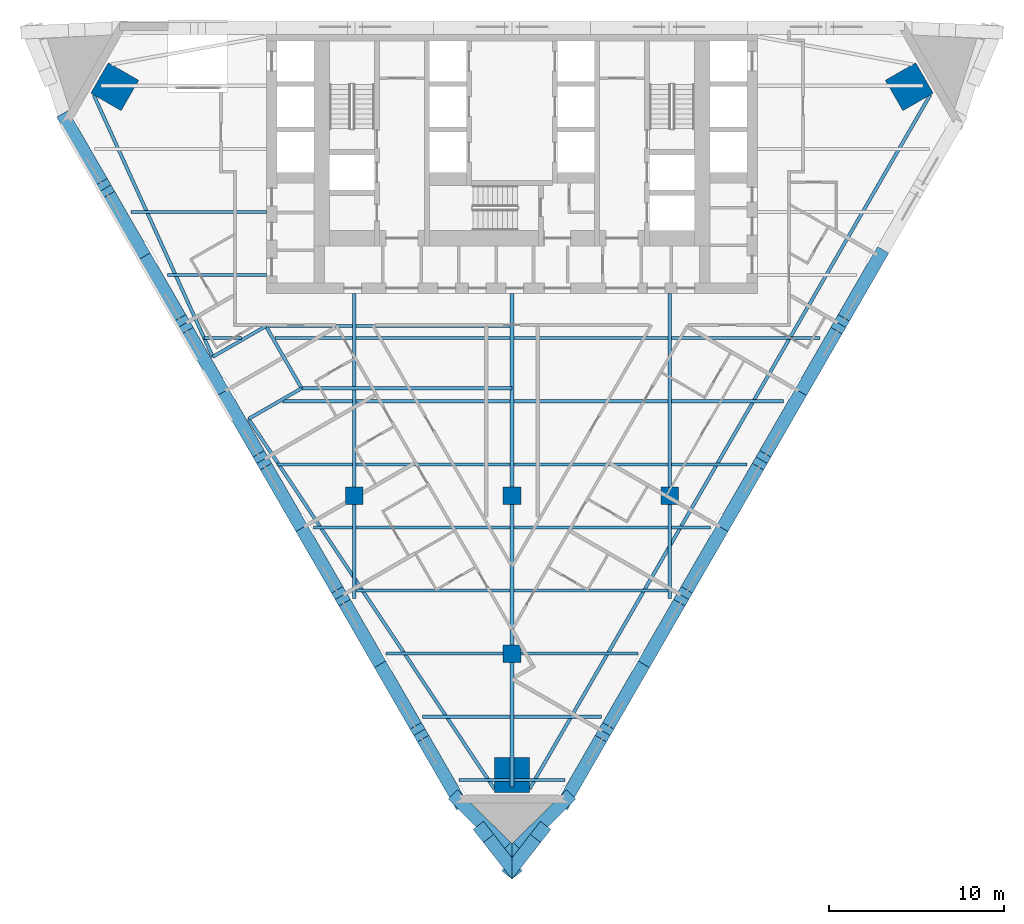
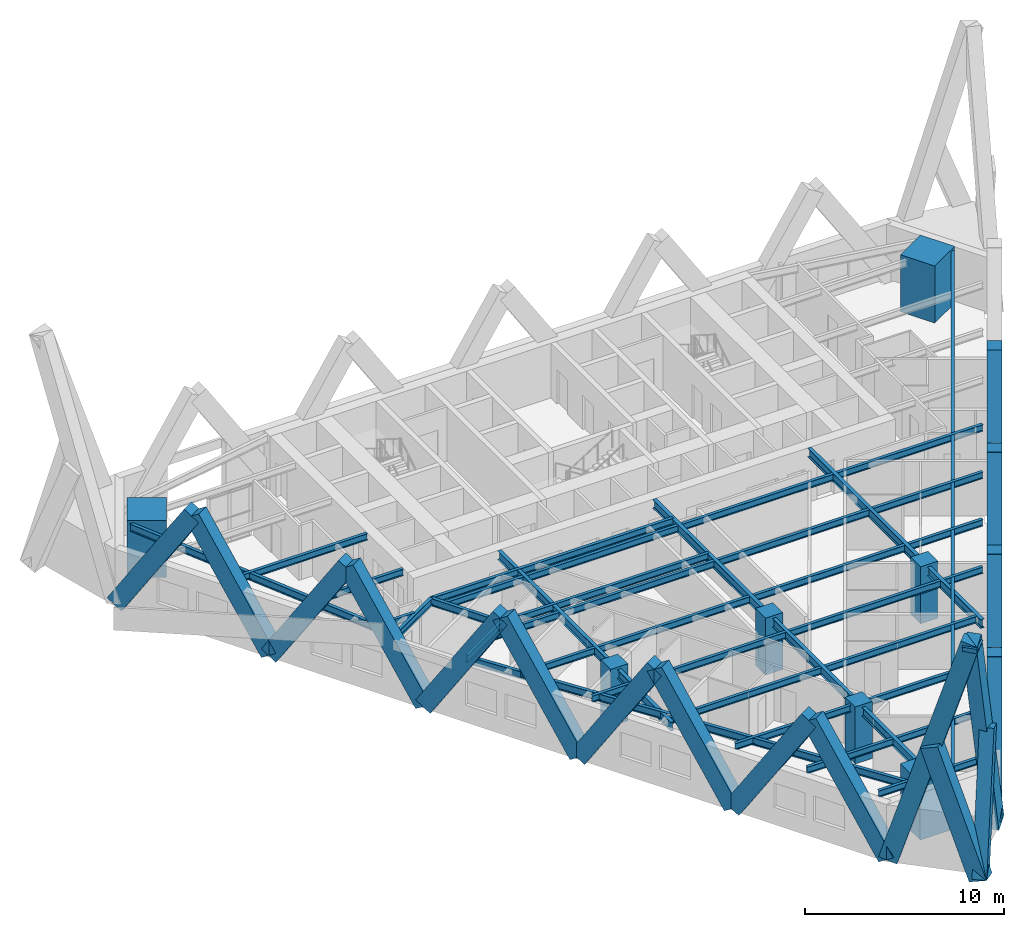
# One storey, part 1 of 11: 42 beams, 22 members, 7 columns.
"""IFC4 building model written with IfcOpenShell, lengths in metres."""

import ifcopenshell
import ifcopenshell.guid

model = None  # the IFC model being written
_history = None  # IfcOwnerHistory: only IFC2X3 demands one
_inside = {}  # id of a spatial element -> (the spatial element, [elements in it])
_under = {}  # id of a project, library or spatial element -> (it, [spatial elements below it])
_declared = {}  # id of a project -> (the project, [libraries it declares])
_typed = {}  # id of a type object -> (the type object, [elements of that type])
_made_of = {}  # id of a material, layer set ... -> (it, [elements and type objects made of it])


def new_model(schema):
    """Start an empty IFC model of exactly this schema.

    Asked for "IFC4X3", IfcOpenShell would pick the latest addendum, in which some entities
    have other attributes; the version numbers below select the first issue.
    IFC2X3 requires an IfcOwnerHistory on every rooted entity: one is made here for all.
    """
    global model, _history
    if schema == "IFC4X3":
        model = ifcopenshell.file(schema_version=(4, 3, 0, 0))
    else:
        model = ifcopenshell.file(schema=schema)
    _inside.clear()
    _under.clear()
    _declared.clear()
    _typed.clear()
    _made_of.clear()
    _history = None
    if model.schema == "IFC2X3":
        org = make("IfcOrganization", Name="unknown")
        user = make(
            "IfcPersonAndOrganization",
            ThePerson=make("IfcPerson", FamilyName="unknown"),
            TheOrganization=org,
        )
        app = make(
            "IfcApplication",
            ApplicationDeveloper=org,
            Version="unknown",
            ApplicationFullName="unknown",
            ApplicationIdentifier="unknown",
        )
        _history = make(
            "IfcOwnerHistory",
            OwningUser=user,
            OwningApplication=app,
            ChangeAction="ADDED",
            CreationDate=0,
        )
    return model


def make(cls, **values):
    """One entity of the class cls with the attributes given. An attribute that is None is left unset."""
    return model.create_entity(
        cls, **{name: value for name, value in values.items() if value is not None}
    )


def rooted(cls, **values):
    """An entity with a GlobalId (a new one), such as an element, a storey or a relation."""
    return make(cls, GlobalId=ifcopenshell.guid.new(), OwnerHistory=_history, **values)


def si_unit(unit_type, name, prefix=None):
    """IfcSIUnit, for example si_unit("LENGTHUNIT", "METRE", prefix="MILLI")."""
    return make("IfcSIUnit", UnitType=unit_type, Prefix=prefix, Name=name)


def assignment(units):
    """IfcUnitAssignment: the units of a project."""
    return None if units is None else make("IfcUnitAssignment", Units=units)


def point(xyz):
    """IfcCartesianPoint."""
    return None if xyz is None else make("IfcCartesianPoint", Coordinates=xyz)


def direction(xyz):
    """IfcDirection."""
    return None if xyz is None else make("IfcDirection", DirectionRatios=xyz)


def frame(location, z_axis=None, x_axis=None):
    """IfcAxis2Placement3D, a coordinate frame: its origin and axes. An axis left out is left unset."""
    return make(
        "IfcAxis2Placement3D",
        Location=point(location),
        Axis=direction(z_axis),
        RefDirection=direction(x_axis),
    )


def frame_2d(location, x_axis=None):
    """IfcAxis2Placement2D, a coordinate frame in the plane: its origin and x axis."""
    return make(
        "IfcAxis2Placement2D", Location=point(location), RefDirection=direction(x_axis)
    )


def origin():
    """The frame at (0, 0, 0) with its axes left unset."""
    return frame((0.0, 0.0, 0.0))


def origin_2d():
    """The frame at (0, 0) in the plane with its x axis left unset."""
    return frame_2d((0.0, 0.0))


def place(relative_to, where):
    """IfcLocalPlacement: puts the frame where relative to a parent placement (None: the world)."""
    return make(
        "IfcLocalPlacement", PlacementRelTo=relative_to, RelativePlacement=where
    )


def context(
    kind, dimensions, precision=None, world=None, true_north=None, identifier=None
):
    """IfcGeometricRepresentationContext, for example the 3D "Model" context."""
    return make(
        "IfcGeometricRepresentationContext",
        ContextIdentifier=identifier,
        ContextType=kind,
        CoordinateSpaceDimension=dimensions,
        Precision=precision,
        WorldCoordinateSystem=world,
        TrueNorth=true_north,
    )


def subcontext(parent, identifier, kind, view, scale=None):
    """IfcGeometricRepresentationSubContext, for example "Body" below "Model"."""
    return make(
        "IfcGeometricRepresentationSubContext",
        ContextIdentifier=identifier,
        ContextType=kind,
        ParentContext=parent,
        TargetScale=scale,
        TargetView=view,
    )


def project(units=None, contexts=None):
    """IfcProject with its units and contexts."""
    return rooted(
        "IfcProject",
        Name="project",
        RepresentationContexts=contexts,
        UnitsInContext=assignment(units),
    )


def spatial(cls, under=None, at=None, **own):
    """A site, building, storey or space (cls), placed at a placement, below another one or the project."""
    s = rooted(cls, ObjectPlacement=at, **own)
    if under is not None:
        _under.setdefault(under.id(), (under, []))[1].append(s)
    return s


def profile(cls, at=None, kind="AREA", **sizes):
    """A parametric profile (cls). Its sizes go by their IFC names, for example OverallWidth=200.0."""
    return make(cls, ProfileType=kind, Position=at, **sizes)


def rectangle(**sizes):
    """IfcRectangleProfileDef."""
    return profile("IfcRectangleProfileDef", **sizes)


def i_section(**sizes):
    """IfcIShapeProfileDef."""
    return profile("IfcIShapeProfileDef", **sizes)


def extrude(swept, where, along, depth):
    """IfcExtrudedAreaSolid: the profile swept, set in the frame where, extruded along a direction by depth."""
    return make(
        "IfcExtrudedAreaSolid",
        SweptArea=swept,
        Position=where,
        ExtrudedDirection=direction(along),
        Depth=depth,
    )


def shape(context_of_items, identifier, shape_type, items):
    """IfcShapeRepresentation: the items that make up one representation, for example the "Body"."""
    return make(
        "IfcShapeRepresentation",
        ContextOfItems=context_of_items,
        RepresentationIdentifier=identifier,
        RepresentationType=shape_type,
        Items=items,
    )


def material(Name=None, Category=None):
    """IfcMaterial."""
    return make("IfcMaterial", Name=Name, Category=Category)


def material_profile(
    of_material, cross_section, Name=None, Category=None, Priority=None
):
    """IfcMaterialProfile: a cross section and its material."""
    return make(
        "IfcMaterialProfile",
        Name=Name,
        Material=of_material,
        Profile=cross_section,
        Priority=Priority,
        Category=Category,
    )


def profile_set(profiles, Name=None, composite=None):
    """IfcMaterialProfileSet."""
    return make(
        "IfcMaterialProfileSet",
        Name=Name,
        MaterialProfiles=profiles,
        CompositeProfile=composite,
    )


def made_of(thing, what):
    """Note that an element or type object is made of a material, layer set ...; save() writes the relation."""
    if what is not None:
        _made_of.setdefault(what.id(), (what, []))[1].append(thing)
    return thing


def type_object(cls, material=None, **own):
    """A type object (cls), such as IfcWallType, which elements share."""
    return made_of(rooted(cls, **own), material)


def element(
    cls,
    number,
    at=None,
    inside=None,
    cuts=None,
    type_object=None,
    material=None,
    context=None,
    identifier="Body",
    shape_type=None,
    held_by="IfcProductDefinitionShape",
    body=None,
    shapes=None,
    **own,
):
    """One element of the class cls, such as IfcWall. Its Tag is "e" and its number.

    at: its placement. inside: the storey or other place that contains it. cuts: it is an
    opening in that element (IfcRelVoidsElement). A single representation is given by context,
    identifier, shape_type and body (its items); several are given by shapes. held_by: the class
    of the entity that holds the representations. save() writes the other relations.
    """
    e = rooted(cls, Tag="e%d" % number, ObjectPlacement=at, **own)
    if body is not None:
        shapes = [shape(context, identifier, shape_type, body)]
    if shapes is not None:
        e.Representation = make(held_by, Representations=shapes)
    if inside is not None:
        _inside.setdefault(inside.id(), (inside, []))[1].append(e)
    if cuts is not None:
        rooted(
            "IfcRelVoidsElement", RelatingBuildingElement=cuts, RelatedOpeningElement=e
        )
    if type_object is not None:
        _typed.setdefault(type_object.id(), (type_object, []))[1].append(e)
    return made_of(e, material)


def aggregate(whole, parts):
    """IfcRelAggregates: a whole, such as a stair, and the parts it consists of."""
    return rooted("IfcRelAggregates", RelatingObject=whole, RelatedObjects=parts)


def save(model, path):
    """Write the relations noted so far, then the file.

    IfcRelAggregates (storeys below a building ...), IfcRelContainedInSpatialStructure (elements
    in a storey), IfcRelDefinesByType, IfcRelAssociatesMaterial and IfcRelDeclares: one each for
    every whole, place, type object, material and project.
    """
    for whole, parts in _under.values():
        aggregate(whole, parts)
    for where, things in _inside.values():
        rooted(
            "IfcRelContainedInSpatialStructure",
            RelatedElements=things,
            RelatingStructure=where,
        )
    for kind, things in _typed.values():
        rooted("IfcRelDefinesByType", RelatedObjects=things, RelatingType=kind)
    for what, things in _made_of.values():
        rooted("IfcRelAssociatesMaterial", RelatedObjects=things, RelatingMaterial=what)
    for by, libraries in _declared.values():
        rooted("IfcRelDeclares", RelatingContext=by, RelatedDefinitions=libraries)
    model.write(path)


model = new_model("IFC4")

# Units and contexts
model_context = context("Model", 3, precision=1e-05, world=origin(), true_north=direction((0.0, 1.0)))
body_context = subcontext(model_context, "Body", "Model", "MODEL_VIEW")
ifc_project = project(units=[si_unit("LENGTHUNIT", "METRE"), si_unit("AREAUNIT", "SQUARE_METRE"), si_unit("VOLUMEUNIT", "CUBIC_METRE"), si_unit("PLANEANGLEUNIT", "RADIAN"), si_unit("MASSUNIT", "GRAM", prefix="KILO")], contexts=[model_context])

# Site, building, storey
site_placement = place(None, origin())
site = spatial("IfcSite", under=ifc_project, at=site_placement, CompositionType="ELEMENT")
building_placement = place(site_placement, origin())
building = spatial("IfcBuilding", under=site, at=building_placement, Name="Aloe Facet Convention Tower", CompositionType="ELEMENT")
storey_placement = place(building_placement, frame((0.0, 0.0, 49.0)))
storey = spatial("IfcBuildingStorey", under=building, at=storey_placement, Name="L10", CompositionType="ELEMENT", Elevation=49.0)

# Columns
ifc_material_1 = material(Name="Concrete C70/85", Category="concrete")
ifc_material_profile_1 = material_profile(ifc_material_1, rectangle(XDim=1.0, YDim=1.0, at=origin_2d()), Name="SF-GC-Z1")
ifc_profile_set_1 = profile_set([ifc_material_profile_1], Name="Concrete C70/85")
column_type_1 = type_object("IfcColumnType", Name="SF-GC-Z1", PredefinedType="COLUMN", material=ifc_profile_set_1)
for number, where, z_axis, x_axis, name in (
    (1, (71.0, 108.0, 0.0), (0.0, 0.0, 1.0), (1.0, 0.0, 0.0), "Gravity column GC-Z1-8D"),
    (2, (80.0, 99.0, 0.0), (0.0, 0.0, 1.0), (1.0, 0.0, 0.0), "Gravity column GC-Z1-9E"),
    (3, (80.0, 108.0, 0.0), (0.0, 0.0, 1.0), (1.0, 0.0, 0.0), "Gravity column GC-Z1-9D"),
    (4, (89.0, 108.0, 0.0), (0.0, 0.0, 1.0), (1.0, 0.0, 0.0), "Gravity column GC-Z1-10D"),
):
    element("IfcColumn", number, at=place(storey_placement, frame(where, z_axis=z_axis, x_axis=x_axis)), inside=storey, type_object=column_type_1, Name=name, PredefinedType="COLUMN", context=body_context, shape_type="SweptSolid", body=[
        extrude(rectangle(XDim=1.0, YDim=1.0, at=origin_2d()), origin(), (0.0, 0.0, 1.0), 3.5),
    ])
ifc_material_2 = material(Name="Concrete C80/95", Category="concrete")
ifc_material_profile_2 = material_profile(ifc_material_2, rectangle(XDim=2.0, YDim=2.0, at=origin_2d()), Name="STW-MC-Z1")
ifc_profile_set_2 = profile_set([ifc_material_profile_2], Name="Concrete C80/95")
column_type_2 = type_object("IfcColumnType", Name="STW-MC-Z1", PredefinedType="COLUMN", material=ifc_profile_set_2)
for number, where, z_axis, x_axis, name in (
    (5, (102.664306640625, 131.342041015625, 0.0), (0.0, 0.0, 1.0), (-0.5, 0.866025403784, 0.0), "Mega-column MC-NE-L10"),
    (6, (57.335693359375, 131.342041015625, 0.0), (0.0, 0.0, 1.0), (-0.5, -0.866025403784, 0.0), "Mega-column MC-NW-L10"),
    (7, (80.0, 92.086181640625, 0.0), (0.0, 0.0, 1.0), (1.0, 0.0, 0.0), "Mega-column MC-S-L10"),
):
    element("IfcColumn", number, at=place(storey_placement, frame(where, z_axis=z_axis, x_axis=x_axis)), inside=storey, type_object=column_type_2, Name=name, PredefinedType="COLUMN", context=body_context, shape_type="SweptSolid", body=[
        extrude(rectangle(XDim=2.0, YDim=2.0, at=origin_2d()), origin(), (0.0, 0.0, 1.0), 3.5),
    ])

# Beams
ifc_material_3 = material(Name="Steel S355", Category="steel")
ifc_material_profile_3 = material_profile(ifc_material_3, i_section(OverallWidth=0.177734375, OverallDepth=0.402587890625, WebThickness=0.0078125, FlangeThickness=0.010986328125, FilletRadius=0.01025390625, at=origin_2d()), Name="UB 406x178x54")
ifc_profile_set_3 = profile_set([ifc_material_profile_3], Name="Steel S355")
beam_type_1 = type_object("IfcBeamType", Name="SF-B-UB406x178x54", PredefinedType="BEAM", material=ifc_profile_set_3)
beam_1_placement = place(storey_placement, frame((58.27294921875, 124.199951171875, 3.148681640625), z_axis=(1.0, 0.0, 0.0), x_axis=(0.0, 1.0, 0.0)))
element("IfcBeam", 8, at=beam_1_placement, inside=storey, type_object=beam_type_1, Name="Floor beam FB-Z1E-018", PredefinedType="BEAM", context=body_context, shape_type="SweptSolid", body=[
    extrude(i_section(OverallWidth=0.177734375, OverallDepth=0.402587890625, WebThickness=0.0078125, FlangeThickness=0.010986328125, FilletRadius=0.01025390625, at=origin_2d()), origin(), (0.0, 0.0, 1.0), 7.72705078125),
])
beam_2_placement = place(storey_placement, frame((60.351318359375, 120.60009765625, 3.148681640625), z_axis=(1.0, 0.0, 0.0), x_axis=(0.0, 1.0, 0.0)))
element("IfcBeam", 9, at=beam_2_placement, inside=storey, type_object=beam_type_1, Name="Floor beam FB-Z1E-019", PredefinedType="BEAM", context=body_context, shape_type="SweptSolid", body=[
    extrude(i_section(OverallWidth=0.177734375, OverallDepth=0.402587890625, WebThickness=0.0078125, FlangeThickness=0.010986328125, FilletRadius=0.01025390625, at=origin_2d()), origin(), (0.0, 0.0, 1.0), 5.648681640625),
])
beam_3_placement = place(storey_placement, frame((62.429931640625, 117.0, 3.148681640625), z_axis=(1.0, 0.0, 0.0), x_axis=(0.0, 1.0, 0.0)))
element("IfcBeam", 10, at=beam_3_placement, inside=storey, type_object=beam_type_1, Name="Floor beam FB-Z1E-020", PredefinedType="BEAM", context=body_context, shape_type="SweptSolid", body=[
    extrude(i_section(OverallWidth=0.177734375, OverallDepth=0.402587890625, WebThickness=0.0078125, FlangeThickness=0.010986328125, FilletRadius=0.01025390625, at=origin_2d()), origin(), (0.0, 0.0, 1.0), 2.143310546875),
])
beam_4_placement = place(storey_placement, frame((65.95703125, 117.68359375, 3.148681640625), z_axis=(1.0, 0.0, 0.0), x_axis=(0.0, 1.0, 0.0)))
element("IfcBeam", 11, at=beam_4_placement, inside=storey, type_object=beam_type_1, Name="Floor beam FB-Z1E-021", PredefinedType="BEAM", context=body_context, shape_type="SweptSolid", body=[
    extrude(i_section(OverallWidth=0.177734375, OverallDepth=0.402587890625, WebThickness=0.0078125, FlangeThickness=0.010986328125, FilletRadius=0.01025390625, at=origin_2d()), origin(), (0.0, 0.0, 1.0), 14.04296875),
])
beam_5_placement = place(storey_placement, frame((66.47119140625, 117.0, 3.148681640625), z_axis=(1.0, 0.0, 0.0), x_axis=(0.0, 1.0, 0.0)))
element("IfcBeam", 12, at=beam_5_placement, inside=storey, type_object=beam_type_1, Name="Floor beam FB-Z1E-022", PredefinedType="BEAM", context=body_context, shape_type="SweptSolid", body=[
    extrude(i_section(OverallWidth=0.177734375, OverallDepth=0.402587890625, WebThickness=0.0078125, FlangeThickness=0.010986328125, FilletRadius=0.01025390625, at=origin_2d()), origin(), (0.0, 0.0, 1.0), 4.42333984375),
])
beam_6_placement = place(storey_placement, frame((66.5869140625, 109.800048828125, 3.148681640625), z_axis=(1.0, 0.0, 0.0), x_axis=(0.0, 1.0, 0.0)))
element("IfcBeam", 13, at=beam_6_placement, inside=storey, type_object=beam_type_1, Name="Floor beam FB-Z1E-023", PredefinedType="BEAM", context=body_context, shape_type="SweptSolid", body=[
    extrude(i_section(OverallWidth=0.177734375, OverallDepth=0.402587890625, WebThickness=0.0078125, FlangeThickness=0.010986328125, FilletRadius=0.01025390625, at=origin_2d()), origin(), (0.0, 0.0, 1.0), 4.3076171875),
])
beam_7_placement = place(storey_placement, frame((66.91748046875, 113.39990234375, 3.148681640625), z_axis=(1.0, 0.0, 0.0), x_axis=(0.0, 1.0, 0.0)))
element("IfcBeam", 14, at=beam_7_placement, inside=storey, type_object=beam_type_1, Name="Floor beam FB-Z1E-024", PredefinedType="BEAM", context=body_context, shape_type="SweptSolid", body=[
    extrude(i_section(OverallWidth=0.177734375, OverallDepth=0.402587890625, WebThickness=0.0078125, FlangeThickness=0.010986328125, FilletRadius=0.01025390625, at=origin_2d()), origin(), (0.0, 0.0, 1.0), 3.97705078125),
])
beam_8_placement = place(storey_placement, frame((68.001953125, 114.1416015625, 3.148681640625), z_axis=(1.0, 0.0, 0.0), x_axis=(0.0, 1.0, 0.0)))
element("IfcBeam", 15, at=beam_8_placement, inside=storey, type_object=beam_type_1, Name="Floor beam FB-Z1E-025", PredefinedType="BEAM", context=body_context, shape_type="SweptSolid", body=[
    extrude(i_section(OverallWidth=0.177734375, OverallDepth=0.402587890625, WebThickness=0.0078125, FlangeThickness=0.010986328125, FilletRadius=0.01025390625, at=origin_2d()), origin(), (0.0, 0.0, 1.0), 11.998046875),
])
beam_9_placement = place(storey_placement, frame((68.665283203125, 106.199951171875, 3.148681640625), z_axis=(1.0, 0.0, 0.0), x_axis=(0.0, 1.0, 0.0)))
element("IfcBeam", 16, at=beam_9_placement, inside=storey, type_object=beam_type_1, Name="Floor beam FB-Z1E-026", PredefinedType="BEAM", context=body_context, shape_type="SweptSolid", body=[
    extrude(i_section(OverallWidth=0.177734375, OverallDepth=0.402587890625, WebThickness=0.0078125, FlangeThickness=0.010986328125, FilletRadius=0.01025390625, at=origin_2d()), origin(), (0.0, 0.0, 1.0), 2.229248046875),
])
for number, where, z_axis, x_axis, name in (
    (17, (71.10546875, 102.60009765625, 3.148681640625), (1.0, 0.0, 0.0), (0.0, 1.0, 0.0), "Floor beam FB-Z1E-027"),
    (18, (71.10546875, 106.199951171875, 3.148681640625), (1.0, 0.0, 0.0), (0.0, 1.0, 0.0), "Floor beam FB-Z1E-028"),
    (19, (71.10546875, 109.800048828125, 3.148681640625), (1.0, 0.0, 0.0), (0.0, 1.0, 0.0), "Floor beam FB-Z1E-029"),
    (20, (71.10546875, 113.39990234375, 3.148681640625), (1.0, 0.0, 0.0), (0.0, 1.0, 0.0), "Floor beam FB-Z1E-030"),
    (21, (71.10546875, 117.0, 3.148681640625), (1.0, 0.0, 0.0), (0.0, 1.0, 0.0), "Floor beam FB-Z1E-031"),
):
    element("IfcBeam", number, at=place(storey_placement, frame(where, z_axis=z_axis, x_axis=x_axis)), inside=storey, type_object=beam_type_1, Name=name, PredefinedType="BEAM", context=body_context, shape_type="SweptSolid", body=[
        extrude(i_section(OverallWidth=0.177734375, OverallDepth=0.402587890625, WebThickness=0.0078125, FlangeThickness=0.010986328125, FilletRadius=0.01025390625, at=origin_2d()), origin(), (0.0, 0.0, 1.0), 8.7890625),
    ])
beam_10_placement = place(storey_placement, frame((72.822265625, 99.0, 3.148681640625), z_axis=(1.0, 0.0, 0.0), x_axis=(0.0, 1.0, 0.0)))
element("IfcBeam", 22, at=beam_10_placement, inside=storey, type_object=beam_type_1, Name="Floor beam FB-Z1E-032", PredefinedType="BEAM", context=body_context, shape_type="SweptSolid", body=[
    extrude(i_section(OverallWidth=0.177734375, OverallDepth=0.402587890625, WebThickness=0.0078125, FlangeThickness=0.010986328125, FilletRadius=0.01025390625, at=origin_2d()), origin(), (0.0, 0.0, 1.0), 6.677734375),
])
beam_11_placement = place(storey_placement, frame((74.900634765625, 95.39990234375, 3.148681640625), z_axis=(1.0, 0.0, 0.0), x_axis=(0.0, 1.0, 0.0)))
element("IfcBeam", 23, at=beam_11_placement, inside=storey, type_object=beam_type_1, Name="Floor beam FB-Z1E-033", PredefinedType="BEAM", context=body_context, shape_type="SweptSolid", body=[
    extrude(i_section(OverallWidth=0.177734375, OverallDepth=0.402587890625, WebThickness=0.0078125, FlangeThickness=0.010986328125, FilletRadius=0.01025390625, at=origin_2d()), origin(), (0.0, 0.0, 1.0), 4.993896484375),
])
for number, where, z_axis, x_axis, name in (
    (24, (76.97900390625, 91.800048828125, 3.148681640625), (1.0, 0.0, 0.0), (0.0, 1.0, 0.0), "Floor beam FB-Z1E-034"),
    (25, (80.10546875, 91.800048828125, 3.148681640625), (1.0, 0.0, 0.0), (0.0, 1.0, 0.0), "Floor beam FB-Z1E-035"),
):
    element("IfcBeam", number, at=place(storey_placement, frame(where, z_axis=z_axis, x_axis=x_axis)), inside=storey, type_object=beam_type_1, Name=name, PredefinedType="BEAM", context=body_context, shape_type="SweptSolid", body=[
        extrude(i_section(OverallWidth=0.177734375, OverallDepth=0.402587890625, WebThickness=0.0078125, FlangeThickness=0.010986328125, FilletRadius=0.01025390625, at=origin_2d()), origin(), (0.0, 0.0, 1.0), 2.91552734375),
    ])
beam_12_placement = place(storey_placement, frame((80.10546875, 95.39990234375, 3.148681640625), z_axis=(1.0, 0.0, 0.0), x_axis=(0.0, 1.0, 0.0)))
element("IfcBeam", 26, at=beam_12_placement, inside=storey, type_object=beam_type_1, Name="Floor beam FB-Z1E-036", PredefinedType="BEAM", context=body_context, shape_type="SweptSolid", body=[
    extrude(i_section(OverallWidth=0.177734375, OverallDepth=0.402587890625, WebThickness=0.0078125, FlangeThickness=0.010986328125, FilletRadius=0.01025390625, at=origin_2d()), origin(), (0.0, 0.0, 1.0), 4.993896484375),
])
for number, where, z_axis, x_axis, name in (
    (27, (80.10546875, 102.60009765625, 3.148681640625), (1.0, 0.0, 0.0), (0.0, 1.0, 0.0), "Floor beam FB-Z1E-037"),
    (28, (80.10546875, 106.199951171875, 3.148681640625), (1.0, 0.0, 0.0), (0.0, 1.0, 0.0), "Floor beam FB-Z1E-038"),
    (29, (80.10546875, 109.800048828125, 3.148681640625), (1.0, 0.0, 0.0), (0.0, 1.0, 0.0), "Floor beam FB-Z1E-039"),
    (30, (80.10546875, 113.39990234375, 3.148681640625), (1.0, 0.0, 0.0), (0.0, 1.0, 0.0), "Floor beam FB-Z1E-040"),
    (31, (80.10546875, 117.0, 3.148681640625), (1.0, 0.0, 0.0), (0.0, 1.0, 0.0), "Floor beam FB-Z1E-041"),
):
    element("IfcBeam", number, at=place(storey_placement, frame(where, z_axis=z_axis, x_axis=x_axis)), inside=storey, type_object=beam_type_1, Name=name, PredefinedType="BEAM", context=body_context, shape_type="SweptSolid", body=[
        extrude(i_section(OverallWidth=0.177734375, OverallDepth=0.402587890625, WebThickness=0.0078125, FlangeThickness=0.010986328125, FilletRadius=0.01025390625, at=origin_2d()), origin(), (0.0, 0.0, 1.0), 8.7890625),
    ])
beam_13_placement = place(storey_placement, frame((80.5, 99.0, 3.148681640625), z_axis=(1.0, 0.0, 0.0), x_axis=(0.0, 1.0, 0.0)))
element("IfcBeam", 32, at=beam_13_placement, inside=storey, type_object=beam_type_1, Name="Floor beam FB-Z1E-042", PredefinedType="BEAM", context=body_context, shape_type="SweptSolid", body=[
    extrude(i_section(OverallWidth=0.177734375, OverallDepth=0.402587890625, WebThickness=0.0078125, FlangeThickness=0.010986328125, FilletRadius=0.01025390625, at=origin_2d()), origin(), (0.0, 0.0, 1.0), 6.677734375),
])
beam_14_placement = place(storey_placement, frame((89.10546875, 106.199951171875, 3.148681640625), z_axis=(1.0, 0.0, 0.0), x_axis=(0.0, 1.0, 0.0)))
element("IfcBeam", 33, at=beam_14_placement, inside=storey, type_object=beam_type_1, Name="Floor beam FB-Z1E-043", PredefinedType="BEAM", context=body_context, shape_type="SweptSolid", body=[
    extrude(i_section(OverallWidth=0.177734375, OverallDepth=0.402587890625, WebThickness=0.0078125, FlangeThickness=0.010986328125, FilletRadius=0.01025390625, at=origin_2d()), origin(), (0.0, 0.0, 1.0), 2.229248046875),
])
beam_15_placement = place(storey_placement, frame((89.10546875, 109.800048828125, 3.148681640625), z_axis=(1.0, 0.0, 0.0), x_axis=(0.0, 1.0, 0.0)))
element("IfcBeam", 34, at=beam_15_placement, inside=storey, type_object=beam_type_1, Name="Floor beam FB-Z1E-044", PredefinedType="BEAM", context=body_context, shape_type="SweptSolid", body=[
    extrude(i_section(OverallWidth=0.177734375, OverallDepth=0.402587890625, WebThickness=0.0078125, FlangeThickness=0.010986328125, FilletRadius=0.01025390625, at=origin_2d()), origin(), (0.0, 0.0, 1.0), 4.3076171875),
])
beam_16_placement = place(storey_placement, frame((89.10546875, 113.39990234375, 3.148681640625), z_axis=(1.0, 0.0, 0.0), x_axis=(0.0, 1.0, 0.0)))
element("IfcBeam", 35, at=beam_16_placement, inside=storey, type_object=beam_type_1, Name="Floor beam FB-Z1E-045", PredefinedType="BEAM", context=body_context, shape_type="SweptSolid", body=[
    extrude(i_section(OverallWidth=0.177734375, OverallDepth=0.402587890625, WebThickness=0.0078125, FlangeThickness=0.010986328125, FilletRadius=0.01025390625, at=origin_2d()), origin(), (0.0, 0.0, 1.0), 6.38623046875),
])
beam_17_placement = place(storey_placement, frame((89.10546875, 117.0, 3.148681640625), z_axis=(1.0, 0.0, 0.0), x_axis=(0.0, 1.0, 0.0)))
element("IfcBeam", 36, at=beam_17_placement, inside=storey, type_object=beam_type_1, Name="Floor beam FB-Z1E-046", PredefinedType="BEAM", context=body_context, shape_type="SweptSolid", body=[
    extrude(i_section(OverallWidth=0.177734375, OverallDepth=0.402587890625, WebThickness=0.0078125, FlangeThickness=0.010986328125, FilletRadius=0.01025390625, at=origin_2d()), origin(), (0.0, 0.0, 1.0), 8.464599609375),
])
ifc_material_4 = material(Name="Steel S355", Category="steel")
ifc_material_profile_4 = material_profile(ifc_material_4, i_section(OverallWidth=0.18994140625, OverallDepth=0.453369140625, WebThickness=0.008544921875, FlangeThickness=0.0126953125, FilletRadius=0.01025390625, at=origin_2d()), Name="UB 457x191x67")
ifc_profile_set_4 = profile_set([ifc_material_profile_4], Name="Steel S355")
beam_type_2 = type_object("IfcBeamType", Name="SF-B-UB457x191x67", PredefinedType="BEAM", material=ifc_profile_set_4)
beam_18_placement = place(storey_placement, frame((62.926025390625, 115.93359375, 3.123291015625), z_axis=(-0.413519406514, 0.910495305005, 0.0), x_axis=(-0.910495305005, -0.413519406514, 0.0)))
element("IfcBeam", 37, at=beam_18_placement, inside=storey, type_object=beam_type_2, Name="Floor beam FB-Z1E-001", PredefinedType="BEAM", context=body_context, shape_type="SweptSolid", body=[
    extrude(i_section(OverallWidth=0.18994140625, OverallDepth=0.453369140625, WebThickness=0.008544921875, FlangeThickness=0.0126953125, FilletRadius=0.01025390625, at=origin_2d()), origin(), (0.0, 0.0, 1.0), 16.414306640625),
])
beam_19_placement = place(storey_placement, frame((64.970947265625, 112.3916015625, 3.123291015625), z_axis=(0.866019471182, 0.500010275428, 0.0), x_axis=(-0.500010275428, 0.866019471182, 0.0)))
element("IfcBeam", 38, at=beam_19_placement, inside=storey, type_object=beam_type_2, Name="Floor beam FB-Z1E-002", PredefinedType="BEAM", context=body_context, shape_type="SweptSolid", body=[
    extrude(i_section(OverallWidth=0.18994140625, OverallDepth=0.453369140625, WebThickness=0.008544921875, FlangeThickness=0.0126953125, FilletRadius=0.01025390625, at=origin_2d()), origin(), (0.0, 0.0, 1.0), 3.5),
])
beam_20_placement = place(storey_placement, frame((64.970947265625, 112.3916015625, 3.123291015625), z_axis=(0.55348374893, -0.832859976028, 0.0), x_axis=(0.832859976028, 0.55348374893, 0.0)))
element("IfcBeam", 39, at=beam_20_placement, inside=storey, type_object=beam_type_2, Name="Floor beam FB-Z1E-003", PredefinedType="BEAM", context=body_context, shape_type="SweptSolid", body=[
    extrude(i_section(OverallWidth=0.18994140625, OverallDepth=0.453369140625, WebThickness=0.008544921875, FlangeThickness=0.0126953125, FilletRadius=0.01025390625, at=origin_2d()), origin(), (0.0, 0.0, 1.0), 25.346923828125),
])
beam_21_placement = place(storey_placement, frame((65.95703125, 117.68359375, 3.123291015625), z_axis=(-0.866019471182, -0.500010275428, 0.0), x_axis=(0.500010275428, -0.866019471182, 0.0)))
element("IfcBeam", 40, at=beam_21_placement, inside=storey, type_object=beam_type_2, Name="Floor beam FB-Z1E-004", PredefinedType="BEAM", context=body_context, shape_type="SweptSolid", body=[
    extrude(i_section(OverallWidth=0.18994140625, OverallDepth=0.453369140625, WebThickness=0.008544921875, FlangeThickness=0.0126953125, FilletRadius=0.01025390625, at=origin_2d()), origin(), (0.0, 0.0, 1.0), 3.5),
])
beam_22_placement = place(storey_placement, frame((68.001953125, 114.1416015625, 3.123291015625), z_axis=(-0.499991148707, 0.866030514021, 0.0), x_axis=(-0.866030514021, -0.499991148707, 0.0)))
element("IfcBeam", 41, at=beam_22_placement, inside=storey, type_object=beam_type_2, Name="Floor beam FB-Z1E-006", PredefinedType="BEAM", context=body_context, shape_type="SweptSolid", body=[
    extrude(i_section(OverallWidth=0.18994140625, OverallDepth=0.453369140625, WebThickness=0.008544921875, FlangeThickness=0.0126953125, FilletRadius=0.01025390625, at=origin_2d()), origin(), (0.0, 0.0, 1.0), 4.08984375),
])
beam_23_placement = place(storey_placement, frame((103.861572265625, 130.878662109375, 3.123291015625), z_axis=(-0.499999929878, -0.866025444269, 0.0), x_axis=(0.866025444269, -0.499999929878, 0.0)))
element("IfcBeam", 42, at=beam_23_placement, inside=storey, type_object=beam_type_2, Name="Floor beam FB-Z1E-008", PredefinedType="BEAM", context=body_context, shape_type="SweptSolid", body=[
    extrude(i_section(OverallWidth=0.18994140625, OverallDepth=0.453369140625, WebThickness=0.008544921875, FlangeThickness=0.0126953125, FilletRadius=0.01025390625, at=origin_2d()), origin(), (0.0, 0.0, 1.0), 45.72314453125),
])
ifc_material_5 = material(Name="Steel S355", Category="steel")
ifc_material_profile_5 = material_profile(ifc_material_5, i_section(OverallWidth=0.210693359375, OverallDepth=0.53955078125, WebThickness=0.01171875, FlangeThickness=0.018798828125, FilletRadius=0.0126953125, at=origin_2d()), Name="UB 533x210x109")
ifc_profile_set_5 = profile_set([ifc_material_profile_5], Name="Steel S355")
beam_type_3 = type_object("IfcBeamType", Name="SF-B-UB533x210x109", PredefinedType="BEAM", material=ifc_profile_set_5)
beam_24_placement = place(storey_placement, frame((71.0, 107.5, 3.080078125), z_axis=(0.0, -1.0, 0.0), x_axis=(1.0, 0.0, 0.0)))
element("IfcBeam", 43, at=beam_24_placement, inside=storey, type_object=beam_type_3, Name="Floor beam FB-Z1E-009", PredefinedType="BEAM", context=body_context, shape_type="SweptSolid", body=[
    extrude(i_section(OverallWidth=0.210693359375, OverallDepth=0.53955078125, WebThickness=0.01171875, FlangeThickness=0.018798828125, FilletRadius=0.0126953125, at=origin_2d()), origin(), (0.0, 0.0, 1.0), 5.351318359375),
])
beam_25_placement = place(storey_placement, frame((71.0, 119.550048828125, 3.080078125), z_axis=(0.0, -1.0, 0.0), x_axis=(1.0, 0.0, 0.0)))
element("IfcBeam", 44, at=beam_25_placement, inside=storey, type_object=beam_type_3, Name="Floor beam FB-Z1E-010", PredefinedType="BEAM", context=body_context, shape_type="SweptSolid", body=[
    extrude(i_section(OverallWidth=0.210693359375, OverallDepth=0.53955078125, WebThickness=0.01171875, FlangeThickness=0.018798828125, FilletRadius=0.0126953125, at=origin_2d()), origin(), (0.0, 0.0, 1.0), 11.050048828125),
])
beam_26_placement = place(storey_placement, frame((80.0, 98.5, 3.080078125), z_axis=(0.0, -1.0, 0.0), x_axis=(1.0, 0.0, 0.0)))
element("IfcBeam", 45, at=beam_26_placement, inside=storey, type_object=beam_type_3, Name="Floor beam FB-Z1E-011", PredefinedType="BEAM", context=body_context, shape_type="SweptSolid", body=[
    extrude(i_section(OverallWidth=0.210693359375, OverallDepth=0.53955078125, WebThickness=0.01171875, FlangeThickness=0.018798828125, FilletRadius=0.0126953125, at=origin_2d()), origin(), (0.0, 0.0, 1.0), 7.11376953125),
])
beam_27_placement = place(storey_placement, frame((80.0, 107.5, 3.080078125), z_axis=(0.0, -1.0, 0.0), x_axis=(1.0, 0.0, 0.0)))
element("IfcBeam", 46, at=beam_27_placement, inside=storey, type_object=beam_type_3, Name="Floor beam FB-Z1E-012", PredefinedType="BEAM", context=body_context, shape_type="SweptSolid", body=[
    extrude(i_section(OverallWidth=0.210693359375, OverallDepth=0.53955078125, WebThickness=0.01171875, FlangeThickness=0.018798828125, FilletRadius=0.0126953125, at=origin_2d()), origin(), (0.0, 0.0, 1.0), 8.0),
])
beam_28_placement = place(storey_placement, frame((80.0, 119.550048828125, 3.080078125), z_axis=(0.0, -1.0, 0.0), x_axis=(1.0, 0.0, 0.0)))
element("IfcBeam", 47, at=beam_28_placement, inside=storey, type_object=beam_type_3, Name="Floor beam FB-Z1E-013", PredefinedType="BEAM", context=body_context, shape_type="SweptSolid", body=[
    extrude(i_section(OverallWidth=0.210693359375, OverallDepth=0.53955078125, WebThickness=0.01171875, FlangeThickness=0.018798828125, FilletRadius=0.0126953125, at=origin_2d()), origin(), (0.0, 0.0, 1.0), 11.050048828125),
])
beam_29_placement = place(storey_placement, frame((89.0, 107.5, 3.080078125), z_axis=(0.0, -1.0, 0.0), x_axis=(1.0, 0.0, 0.0)))
element("IfcBeam", 48, at=beam_29_placement, inside=storey, type_object=beam_type_3, Name="Floor beam FB-Z1E-014", PredefinedType="BEAM", context=body_context, shape_type="SweptSolid", body=[
    extrude(i_section(OverallWidth=0.210693359375, OverallDepth=0.53955078125, WebThickness=0.01171875, FlangeThickness=0.018798828125, FilletRadius=0.0126953125, at=origin_2d()), origin(), (0.0, 0.0, 1.0), 5.351318359375),
])
beam_30_placement = place(storey_placement, frame((89.0, 119.550048828125, 3.080078125), z_axis=(0.0, -1.0, 0.0), x_axis=(1.0, 0.0, 0.0)))
element("IfcBeam", 49, at=beam_30_placement, inside=storey, type_object=beam_type_3, Name="Floor beam FB-Z1E-015", PredefinedType="BEAM", context=body_context, shape_type="SweptSolid", body=[
    extrude(i_section(OverallWidth=0.210693359375, OverallDepth=0.53955078125, WebThickness=0.01171875, FlangeThickness=0.018798828125, FilletRadius=0.0126953125, at=origin_2d()), origin(), (0.0, 0.0, 1.0), 11.050048828125),
])

# Members
ifc_material_6 = material(Name="Concrete C60/75, bronze oxide finish", Category="concrete")
ifc_material_profile_6 = material_profile(ifc_material_6, rectangle(XDim=0.75, YDim=1.0, at=origin_2d()), Name="STW-LM")
ifc_profile_set_6 = profile_set([ifc_material_profile_6], Name="Concrete C60/75, bronze oxide finish")
member_type = type_object("IfcMemberType", Name="STW-LM", PredefinedType="BRACE", material=ifc_profile_set_6)
for number, where, z_axis, x_axis, name in (
    (50, (54.559814453125, 129.434326171875, 0.0), (0.269524411036, -0.466842718276, 0.842267456482), (0.866031314237, 0.499989762656, 0.0), "Lattice member LM-Z1-F2-R2-01"),
    (51, (59.039794921875, 121.674560546875, 0.0), (-0.269524411036, 0.466842718276, 0.842267456482), (-0.866031314237, -0.499989762656, 0.0), "Lattice member LM-Z1-F2-R2-02"),
    (52, (59.039794921875, 121.674560546875, 0.0), (0.26952810724, -0.466819744104, 0.842279007171), (0.866017690131, 0.500013360201, 0.0), "Lattice member LM-Z1-F2-R2-03"),
    (53, (63.519775390625, 113.9150390625, 0.0), (-0.269524411036, 0.466842718276, 0.842267456482), (-0.866031314237, -0.499989762656, 0.0), "Lattice member LM-Z1-F2-R2-04"),
    (54, (63.519775390625, 113.9150390625, 0.0), (0.269524411036, -0.466842718276, 0.842267456482), (0.866031314237, 0.499989762656, 0.0), "Lattice member LM-Z1-F2-R2-05"),
    (55, (67.999755859375, 106.155517578125, 0.0), (-0.26952810724, 0.466819744104, 0.842279007171), (-0.866017690131, -0.500013360201, 0.0), "Lattice member LM-Z1-F2-R2-06"),
    (56, (67.999755859375, 106.155517578125, 0.0), (0.269524411036, -0.466842718276, 0.842267456482), (0.866031314237, 0.499989762656, 0.0), "Lattice member LM-Z1-F2-R2-07"),
    (57, (72.479736328125, 98.39599609375, 0.0), (-0.26952810724, 0.466819744104, 0.842279007171), (-0.866017690131, -0.500013360201, 0.0), "Lattice member LM-Z1-F2-R2-08"),
    (58, (72.479736328125, 98.39599609375, 0.0), (0.269524411036, -0.466842718276, 0.842267456482), (0.866031314237, 0.499989762656, 0.0), "Lattice member LM-Z1-F2-R2-09"),
    (59, (76.959716796875, 90.63623046875, 0.0), (-0.269524411036, 0.466842718276, 0.842267456482), (-0.866031314237, -0.499989762656, 0.0), "Lattice member LM-Z1-F2-R2-10"),
    (60, (83.040283203125, 90.63623046875, 0.0), (0.269524411036, 0.466842718276, 0.842267456482), (-0.866031314237, 0.499989762656, 0.0), "Lattice member LM-Z1-F3-R2-01"),
    (61, (87.520263671875, 98.39599609375, 0.0), (-0.269524411036, -0.466842718276, 0.842267456482), (0.866031314237, -0.499989762656, 0.0), "Lattice member LM-Z1-F3-R2-02"),
    (62, (87.520263671875, 98.39599609375, 0.0), (0.26952810724, 0.466819744104, 0.842279007171), (-0.866017690131, 0.500013360201, 0.0), "Lattice member LM-Z1-F3-R2-03"),
    (63, (92.000244140625, 106.155517578125, 0.0), (-0.269524411036, -0.466842718276, 0.842267456482), (0.866031314237, -0.499989762656, 0.0), "Lattice member LM-Z1-F3-R2-04"),
    (64, (92.000244140625, 106.155517578125, 0.0), (0.26952810724, 0.466819744104, 0.842279007171), (-0.866017690131, 0.500013360201, 0.0), "Lattice member LM-Z1-F3-R2-05"),
    (65, (96.480224609375, 113.9150390625, 0.0), (-0.269524411036, -0.466842718276, 0.842267456482), (0.866031314237, -0.499989762656, 0.0), "Lattice member LM-Z1-F3-R2-06"),
    (66, (96.480224609375, 113.9150390625, 0.0), (0.269524411036, 0.466842718276, 0.842267456482), (-0.866031314237, 0.499989762656, 0.0), "Lattice member LM-Z1-F3-R2-07"),
    (67, (100.960205078125, 121.674560546875, 0.0), (-0.26952810724, -0.466819744104, 0.842279007171), (0.866017690131, -0.500013360201, 0.0), "Lattice member LM-Z1-F3-R2-08"),
):
    element("IfcMember", number, at=place(storey_placement, frame(where, z_axis=z_axis, x_axis=x_axis)), inside=storey, type_object=member_type, Name=name, PredefinedType="BRACE", context=body_context, shape_type="SweptSolid", body=[
        extrude(rectangle(XDim=0.75, YDim=1.0, at=origin_2d()), origin(), (0.0, 0.0, 1.0), 8.310791015625),
    ])
member_1_placement = place(storey_placement, frame((76.959716796875, 90.63623046875, 0.0), z_axis=(0.207677998802, -0.205710119266, 0.95632274659), x_axis=(0.703732719115, 0.710464819711, 0.0)))
element("IfcMember", 68, at=member_1_placement, inside=storey, type_object=member_type, Name="Lattice member LM-Z1-F5-R2-01", PredefinedType="BRACE", context=body_context, shape_type="SweptSolid", body=[
    extrude(rectangle(XDim=0.75, YDim=1.0, at=origin_2d()), origin(), (0.0, 0.0, 1.0), 14.639404296875),
])
member_2_placement = place(storey_placement, frame((80.0, 86.745849609375, 0.0), z_axis=(-0.204788565578, 0.26206800407, 0.943070519447), x_axis=(-0.787954443895, -0.615733541677, 0.0)))
element("IfcMember", 69, at=member_2_placement, inside=storey, type_object=member_type, Name="Lattice member LM-Z1-F5-R2-02", PredefinedType="BRACE", context=body_context, shape_type="SweptSolid", body=[
    extrude(rectangle(XDim=0.75, YDim=1.0, at=origin_2d()), origin(), (0.0, 0.0, 1.0), 7.957763671875),
])
member_3_placement = place(storey_placement, frame((83.040283203125, 90.63623046875, 0.0), z_axis=(-0.207677998802, -0.205710119266, 0.95632274659), x_axis=(0.703732719115, -0.710464819711, 0.0)))
element("IfcMember", 70, at=member_3_placement, inside=storey, type_object=member_type, Name="Lattice member LM-Z1-F5-R2-03", PredefinedType="BRACE", context=body_context, shape_type="SweptSolid", body=[
    extrude(rectangle(XDim=0.75, YDim=1.0, at=origin_2d()), origin(), (0.0, 0.0, 1.0), 14.639404296875),
])
member_4_placement = place(storey_placement, frame((80.0, 86.745849609375, 0.0), z_axis=(0.204788565578, 0.26206800407, 0.943070519447), x_axis=(-0.787954443895, 0.615733541677, 0.0)))
element("IfcMember", 71, at=member_4_placement, inside=storey, type_object=member_type, Name="Lattice member LM-Z1-F5-R2-04", PredefinedType="BRACE", context=body_context, shape_type="SweptSolid", body=[
    extrude(rectangle(XDim=0.75, YDim=1.0, at=origin_2d()), origin(), (0.0, 0.0, 1.0), 7.957763671875),
])

save(model, "model.ifc")
